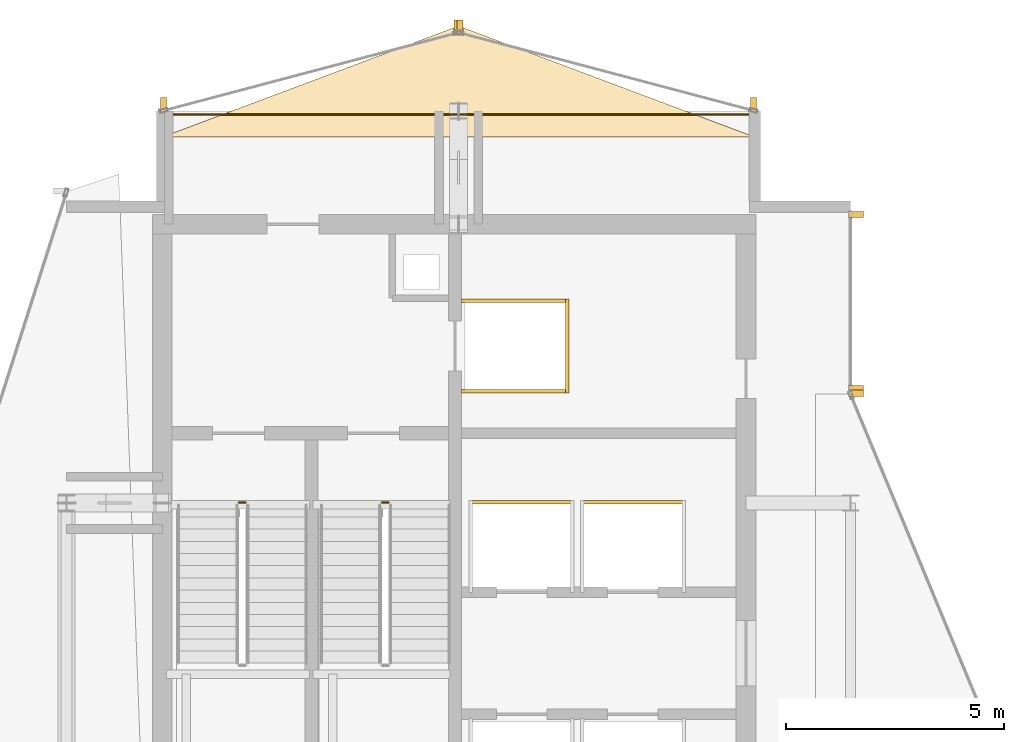
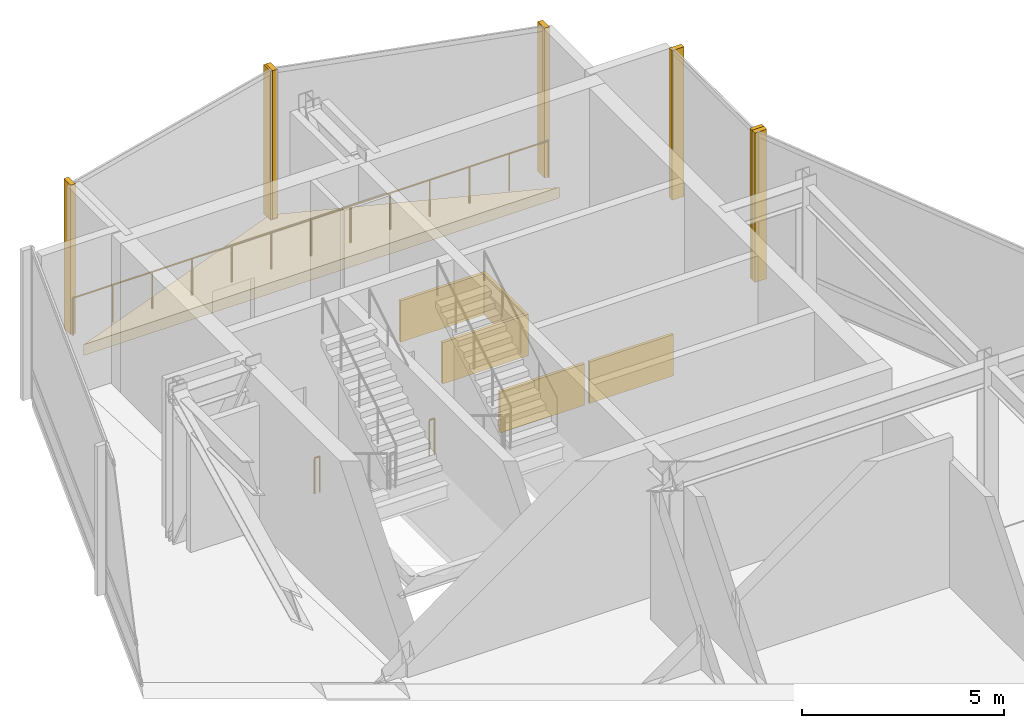
# One storey, part 23 of 23: 7 shading devices, 6 coverings, 3 railings.
"""IFC4 building model written with IfcOpenShell, lengths in metres."""

from ifc_helpers import new_model, si_unit, direction, frame, origin, origin_2d, place, context, subcontext, project, spatial, polyline, rectangle, circle, outline, extrude, material, layer, layer_set, type_object, element, save


model = new_model("IFC4")

# Units and contexts
model_context = context("Model", 3, precision=1e-05, world=origin(), true_north=direction((0.0, 1.0)))
body_context = subcontext(model_context, "Body", "Model", "MODEL_VIEW")
ifc_project = project(units=[si_unit("LENGTHUNIT", "METRE"), si_unit("AREAUNIT", "SQUARE_METRE"), si_unit("VOLUMEUNIT", "CUBIC_METRE"), si_unit("PLANEANGLEUNIT", "RADIAN"), si_unit("MASSUNIT", "GRAM", prefix="KILO")], contexts=[model_context])

# Site, building, storey
site_placement = place(None, origin())
site = spatial("IfcSite", under=ifc_project, at=site_placement, CompositionType="ELEMENT")
building_placement = place(site_placement, origin())
building = spatial("IfcBuilding", under=site, at=building_placement, Name="Solvaryn Broadcast Tower", CompositionType="ELEMENT")
storey_placement = place(building_placement, frame((0.0, 0.0, 285.199951171875)))
storey = spatial("IfcBuildingStorey", under=building, at=storey_placement, Name="L72", CompositionType="ELEMENT", Elevation=285.199951171875)

# Coverings
ifc_material_1 = material(Name="Fire-Rated Gypsum Shaftwall Liner", Category="concrete")
ifc_layer_1 = layer(ifc_material_1, 0.080078125)
ifc_layer_set_1 = layer_set([ifc_layer_1], Name="CV-SHAFT-LINER")
covering_type_1 = type_object("IfcCoveringType", Name="CV-SHAFT-LINER", PredefinedType="CLADDING", material=ifc_layer_set_1)
for number, where, z_axis, x_axis, name in (
    (1, (19.300048828125, 40.639892578125, 0.0), (0.0, 0.0, 1.0), (1.0, 0.0, 0.0), "L72 FL1 Hoistway Shaft Liner North"),
    (2, (19.300048828125, 38.56005859375, 0.0), (0.0, 0.0, 1.0), (1.0, 0.0, 0.0), "L72 FL1 Hoistway Shaft Liner South"),
):
    element("IfcCovering", number, at=place(storey_placement, frame(where, z_axis=z_axis, x_axis=x_axis)), inside=storey, type_object=covering_type_1, Name=name, PredefinedType="CLADDING", context=body_context, shape_type="SweptSolid", body=[
        extrude(rectangle(XDim=2.4599609375, YDim=0.080078125, at=origin_2d()), origin(), (0.0, 0.0, 1.0), 1.25),
    ])
covering_1_placement = place(storey_placement, frame((20.489990234375, 39.60009765625, 0.0), z_axis=(0.0, 0.0, 1.0), x_axis=(1.0, 0.0, 0.0)))
element("IfcCovering", 3, at=covering_1_placement, inside=storey, type_object=covering_type_1, Name="L72 FL1 Hoistway Shaft Liner East", PredefinedType="CLADDING", context=body_context, shape_type="SweptSolid", body=[
    extrude(rectangle(XDim=0.080078125, YDim=2.159912109375, at=origin_2d()), origin(), (0.0, 0.0, 1.0), 1.25),
])
for number, where, z_axis, x_axis, name in (
    (4, (19.449951171875, 36.014892578125, 0.0), (0.0, 0.0, 1.0), (1.0, 0.0, 0.0), "L72 PH3 Hoistway Shaft Liner North"),
    (5, (22.0, 36.014892578125, 0.0), (0.0, 0.0, 1.0), (1.0, 0.0, 0.0), "L72 PH4 Hoistway Shaft Liner North"),
):
    element("IfcCovering", number, at=place(storey_placement, frame(where, z_axis=z_axis, x_axis=x_axis)), inside=storey, type_object=covering_type_1, Name=name, PredefinedType="CLADDING", context=body_context, shape_type="SweptSolid", body=[
        extrude(rectangle(XDim=2.409912109375, YDim=0.080078125, at=origin_2d()), origin(), (0.0, 0.0, 1.0), 1.25),
    ])
ifc_material_2 = material(Name="Sculpted Architectural Terracotta Wave Fascia", Category="masonry")
ifc_layer_2 = layer(ifc_material_2, 0.340087890625)
ifc_layer_set_2 = layer_set([ifc_layer_2], Name="CV-WAVE-TRAY")
covering_type_2 = type_object("IfcCoveringType", Name="CV-WAVE-TRAY", PredefinedType="CLADDING", material=ifc_layer_set_2)
covering_2_placement = place(storey_placement, frame((0.0, 0.0, -0.300048828125)))
element("IfcCovering", 6, at=covering_2_placement, inside=storey, type_object=covering_type_2, Name="L72 North Curved Wing Deck", PredefinedType="CLADDING", context=body_context, shape_type="SweptSolid", body=[
    extrude(outline(polyline([(11.199951171875, 44.39990234375), (24.800048828125, 44.39990234375), (18.0, 46.949951171875), (11.199951171875, 44.39990234375)])), origin(), (0.0, 0.0, 1.0), 0.330078125),
])

# Railings
ifc_material_3 = material(Name="Painted Steel Stair Well Guard", Category="steel")
railing_type_1 = type_object("IfcRailingType", Name="RL-STAIR-GUARD", PredefinedType="BALUSTRADE", material=ifc_material_3)
railing_1_placement = place(storey_placement, frame((12.9599609375, 36.010009765625, 0.0)))
element("IfcRailing", 7, at=railing_1_placement, inside=storey, type_object=railing_type_1, Name="L72 ST1 stair guard 4", PredefinedType="BALUSTRADE", context=body_context, shape_type="SweptSolid", body=[
    extrude(circle(Radius=0.02392578125, at=origin_2d()), frame((0.0, 0.0, 1.076171875), z_axis=(1.0, 0.0, 0.0), x_axis=(0.0, 1.0, 0.0)), (0.0, 0.0, 1.0), 0.150146484375),
    extrude(circle(Radius=0.02099609375, at=origin_2d()), origin(), (0.0, 0.0, 1.0), 1.052001953125),
    extrude(circle(Radius=0.02099609375, at=origin_2d()), frame((0.150146484375, 0.0, 0.0)), (0.0, 0.0, 1.0), 1.052001953125),
])
railing_2_placement = place(storey_placement, frame((16.239990234375, 36.010009765625, 0.0)))
element("IfcRailing", 8, at=railing_2_placement, inside=storey, type_object=railing_type_1, Name="L72 ST2 stair guard 4", PredefinedType="BALUSTRADE", context=body_context, shape_type="SweptSolid", body=[
    extrude(circle(Radius=0.02392578125, at=origin_2d()), frame((0.0, 0.0, 1.076171875), z_axis=(1.0, 0.0, 0.0), x_axis=(0.0, 1.0, 0.0)), (0.0, 0.0, 1.0), 0.14990234375),
    extrude(circle(Radius=0.02099609375, at=origin_2d()), origin(), (0.0, 0.0, 1.0), 1.052001953125),
    extrude(circle(Radius=0.02099609375, at=origin_2d()), frame((0.14990234375, 0.0, 0.0)), (0.0, 0.0, 1.0), 1.052001953125),
])
ifc_material_4 = material(Name="Stainless Steel and Laminated Glass Guard", Category="steel")
railing_type_2 = type_object("IfcRailingType", Name="RL-TER-1150", PredefinedType="BALUSTRADE", material=ifc_material_4)
railing_3_placement = place(storey_placement, frame((11.199951171875, 44.919921875, 0.0)))
element("IfcRailing", 9, at=railing_3_placement, inside=storey, type_object=railing_type_2, Name="L72 North Wing Spandrel Edge Guard", PredefinedType="BALUSTRADE", context=body_context, shape_type="SweptSolid", body=[
    extrude(circle(Radius=0.02392578125, at=origin_2d()), frame((0.0, 0.0, 1.1259765625), z_axis=(1.0, 0.0, 0.0), x_axis=(0.0, 1.0, 0.0)), (0.0, 0.0, 1.0), 13.60009765625),
    extrude(circle(Radius=0.02099609375, at=origin_2d()), origin(), (0.0, 0.0, 1.0), 1.101806640625),
    extrude(circle(Radius=0.02099609375, at=origin_2d()), frame((1.13330078125, 0.0, 0.0)), (0.0, 0.0, 1.0), 1.101806640625),
    extrude(circle(Radius=0.02099609375, at=origin_2d()), frame((2.2666015625, 0.0, 0.0)), (0.0, 0.0, 1.0), 1.101806640625),
    extrude(circle(Radius=0.02099609375, at=origin_2d()), frame((3.39990234375, 0.0, 0.0)), (0.0, 0.0, 1.0), 1.101806640625),
    extrude(circle(Radius=0.02099609375, at=origin_2d()), frame((4.533447265625, 0.0, 0.0)), (0.0, 0.0, 1.0), 1.101806640625),
    extrude(circle(Radius=0.02099609375, at=origin_2d()), frame((5.666748046875, 0.0, 0.0)), (0.0, 0.0, 1.0), 1.101806640625),
    extrude(circle(Radius=0.02099609375, at=origin_2d()), frame((6.800048828125, 0.0, 0.0)), (0.0, 0.0, 1.0), 1.101806640625),
    extrude(circle(Radius=0.02099609375, at=origin_2d()), frame((7.933349609375, 0.0, 0.0)), (0.0, 0.0, 1.0), 1.101806640625),
    extrude(circle(Radius=0.02099609375, at=origin_2d()), frame((9.066650390625, 0.0, 0.0)), (0.0, 0.0, 1.0), 1.101806640625),
    extrude(circle(Radius=0.02099609375, at=origin_2d()), frame((10.2001953125, 0.0, 0.0)), (0.0, 0.0, 1.0), 1.101806640625),
    extrude(circle(Radius=0.02099609375, at=origin_2d()), frame((11.33349609375, 0.0, 0.0)), (0.0, 0.0, 1.0), 1.101806640625),
    extrude(circle(Radius=0.02099609375, at=origin_2d()), frame((12.466796875, 0.0, 0.0)), (0.0, 0.0, 1.0), 1.101806640625),
    extrude(circle(Radius=0.02099609375, at=origin_2d()), frame((13.60009765625, 0.0, 0.0)), (0.0, 0.0, 1.0), 1.101806640625),
])

# Shading devices
ifc_material_5 = material(Name="Anodised Aluminium Acoustic Louvre", Category="aluminium")
shading_device_type = type_object("IfcShadingDeviceType", Name="LV-01 Plant Intake Louvre", PredefinedType="USERDEFINED", material=ifc_material_5)
for number, where, z_axis, x_axis, name in (
    (10, (27.125, 42.6201171875, 0.0), (0.0, 0.0, 1.0), (1.0, 0.0, 0.0), "L72 Plant Acoustic Louvre LV-CW-L72-IV/M00"),
    (11, (27.125, 38.6298828125, 0.0), (0.0, 0.0, 1.0), (1.0, 0.0, 0.0), "L72 Plant Acoustic Louvre LV-CW-L72-IV/M01"),
    (12, (27.12255859375, 38.518310546875, 0.0), (0.0, 0.0, 1.0), (1.0, 0.0, 0.0), "L72 Plant Acoustic Louvre LV-CW-L72-CN2/M01"),
):
    element("IfcShadingDevice", number, at=place(storey_placement, frame(where, z_axis=z_axis, x_axis=x_axis)), inside=storey, type_object=shading_device_type, Name=name, ObjectType="LOUVRE", PredefinedType="USERDEFINED", context=body_context, shape_type="SweptSolid", body=[
        extrude(rectangle(XDim=0.340087890625, YDim=0.139892578125, at=origin_2d()), origin(), (0.0, 0.0, 1.0), 4.52001953125),
    ])
for number, where, z_axis, x_axis, name in (
    (13, (24.77099609375, 45.1328125, 0.0), (0.0, 0.0, 1.0), (1.0, 0.0, 0.0), "L72 Plant Acoustic Louvre LV-CW-L72-NT1/M00"),
    (14, (18.029052734375, 46.917236328125, 0.0), (0.0, 0.0, 1.0), (1.0, 0.0, 0.0), "L72 Plant Acoustic Louvre LV-CW-L72-NT1/M01"),
    (15, (17.970947265625, 46.917236328125, 0.0), (0.0, 0.0, 1.0), (1.0, 0.0, 0.0), "L72 Plant Acoustic Louvre LV-CW-L72-NT2/M00"),
    (16, (11.22900390625, 45.1328125, 0.0), (0.0, 0.0, 1.0), (1.0, 0.0, 0.0), "L72 Plant Acoustic Louvre LV-CW-L72-NT2/M01"),
):
    element("IfcShadingDevice", number, at=place(storey_placement, frame(where, z_axis=z_axis, x_axis=x_axis)), inside=storey, type_object=shading_device_type, Name=name, ObjectType="LOUVRE", PredefinedType="USERDEFINED", context=body_context, shape_type="SweptSolid", body=[
        extrude(rectangle(XDim=0.139892578125, YDim=0.340087890625, at=origin_2d()), origin(), (0.0, 0.0, 1.0), 4.52001953125),
    ])

save(model, "model.ifc")
